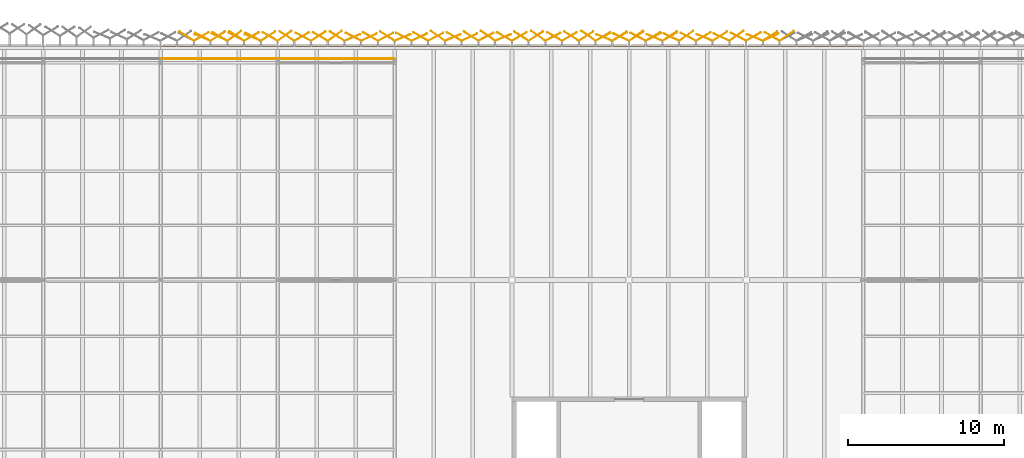
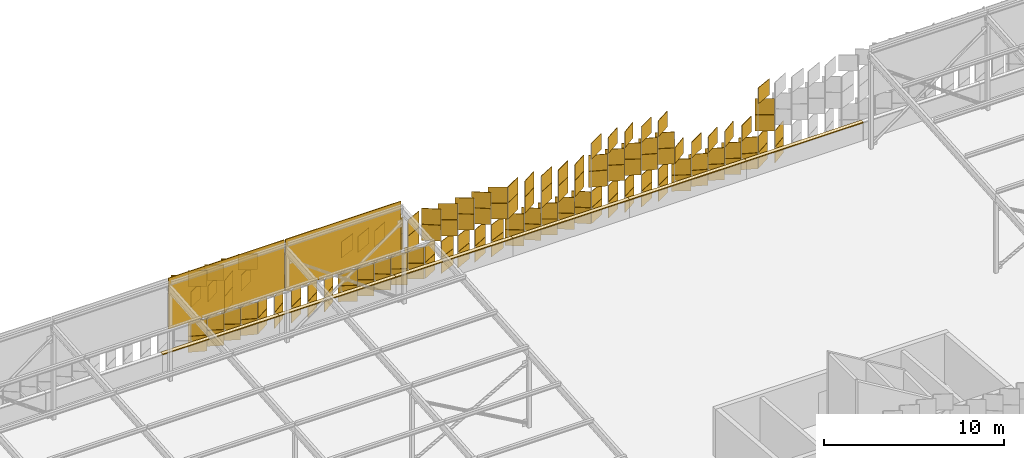
# One storey, part 477 of 483: 150 coverings.
"""IFC4 building model written with IfcOpenShell, lengths in metres."""

import ifcopenshell
import ifcopenshell.guid

model = None  # the IFC model being written
_history = None  # IfcOwnerHistory: only IFC2X3 demands one
_inside = {}  # id of a spatial element -> (the spatial element, [elements in it])
_under = {}  # id of a project, library or spatial element -> (it, [spatial elements below it])
_declared = {}  # id of a project -> (the project, [libraries it declares])
_typed = {}  # id of a type object -> (the type object, [elements of that type])
_made_of = {}  # id of a material, layer set ... -> (it, [elements and type objects made of it])


def new_model(schema):
    """Start an empty IFC model of exactly this schema.

    Asked for "IFC4X3", IfcOpenShell would pick the latest addendum, in which some entities
    have other attributes; the version numbers below select the first issue.
    IFC2X3 requires an IfcOwnerHistory on every rooted entity: one is made here for all.
    """
    global model, _history
    if schema == "IFC4X3":
        model = ifcopenshell.file(schema_version=(4, 3, 0, 0))
    else:
        model = ifcopenshell.file(schema=schema)
    _inside.clear()
    _under.clear()
    _declared.clear()
    _typed.clear()
    _made_of.clear()
    _history = None
    if model.schema == "IFC2X3":
        org = make("IfcOrganization", Name="unknown")
        user = make(
            "IfcPersonAndOrganization",
            ThePerson=make("IfcPerson", FamilyName="unknown"),
            TheOrganization=org,
        )
        app = make(
            "IfcApplication",
            ApplicationDeveloper=org,
            Version="unknown",
            ApplicationFullName="unknown",
            ApplicationIdentifier="unknown",
        )
        _history = make(
            "IfcOwnerHistory",
            OwningUser=user,
            OwningApplication=app,
            ChangeAction="ADDED",
            CreationDate=0,
        )
    return model


def make(cls, **values):
    """One entity of the class cls with the attributes given. An attribute that is None is left unset."""
    return model.create_entity(
        cls, **{name: value for name, value in values.items() if value is not None}
    )


def rooted(cls, **values):
    """An entity with a GlobalId (a new one), such as an element, a storey or a relation."""
    return make(cls, GlobalId=ifcopenshell.guid.new(), OwnerHistory=_history, **values)


def si_unit(unit_type, name, prefix=None):
    """IfcSIUnit, for example si_unit("LENGTHUNIT", "METRE", prefix="MILLI")."""
    return make("IfcSIUnit", UnitType=unit_type, Prefix=prefix, Name=name)


def assignment(units):
    """IfcUnitAssignment: the units of a project."""
    return None if units is None else make("IfcUnitAssignment", Units=units)


def point(xyz):
    """IfcCartesianPoint."""
    return None if xyz is None else make("IfcCartesianPoint", Coordinates=xyz)


def direction(xyz):
    """IfcDirection."""
    return None if xyz is None else make("IfcDirection", DirectionRatios=xyz)


def frame(location, z_axis=None, x_axis=None):
    """IfcAxis2Placement3D, a coordinate frame: its origin and axes. An axis left out is left unset."""
    return make(
        "IfcAxis2Placement3D",
        Location=point(location),
        Axis=direction(z_axis),
        RefDirection=direction(x_axis),
    )


def frame_2d(location, x_axis=None):
    """IfcAxis2Placement2D, a coordinate frame in the plane: its origin and x axis."""
    return make(
        "IfcAxis2Placement2D", Location=point(location), RefDirection=direction(x_axis)
    )


def origin():
    """The frame at (0, 0, 0) with its axes left unset."""
    return frame((0.0, 0.0, 0.0))


def origin_2d():
    """The frame at (0, 0) in the plane with its x axis left unset."""
    return frame_2d((0.0, 0.0))


def place(relative_to, where):
    """IfcLocalPlacement: puts the frame where relative to a parent placement (None: the world)."""
    return make(
        "IfcLocalPlacement", PlacementRelTo=relative_to, RelativePlacement=where
    )


def context(
    kind, dimensions, precision=None, world=None, true_north=None, identifier=None
):
    """IfcGeometricRepresentationContext, for example the 3D "Model" context."""
    return make(
        "IfcGeometricRepresentationContext",
        ContextIdentifier=identifier,
        ContextType=kind,
        CoordinateSpaceDimension=dimensions,
        Precision=precision,
        WorldCoordinateSystem=world,
        TrueNorth=true_north,
    )


def subcontext(parent, identifier, kind, view, scale=None):
    """IfcGeometricRepresentationSubContext, for example "Body" below "Model"."""
    return make(
        "IfcGeometricRepresentationSubContext",
        ContextIdentifier=identifier,
        ContextType=kind,
        ParentContext=parent,
        TargetScale=scale,
        TargetView=view,
    )


def project(units=None, contexts=None):
    """IfcProject with its units and contexts."""
    return rooted(
        "IfcProject",
        Name="project",
        RepresentationContexts=contexts,
        UnitsInContext=assignment(units),
    )


def spatial(cls, under=None, at=None, **own):
    """A site, building, storey or space (cls), placed at a placement, below another one or the project."""
    s = rooted(cls, ObjectPlacement=at, **own)
    if under is not None:
        _under.setdefault(under.id(), (under, []))[1].append(s)
    return s


def polyline(points):
    """IfcPolyline through the points."""
    return make("IfcPolyline", Points=[point(p) for p in points])


def profile(cls, at=None, kind="AREA", **sizes):
    """A parametric profile (cls). Its sizes go by their IFC names, for example OverallWidth=200.0."""
    return make(cls, ProfileType=kind, Position=at, **sizes)


def rectangle(**sizes):
    """IfcRectangleProfileDef."""
    return profile("IfcRectangleProfileDef", **sizes)


def outline(outer, holes=None, kind="AREA"):
    """IfcArbitraryClosedProfileDef: a profile drawn as a closed curve; with holes, ...WithVoids."""
    if holes is None:
        return make("IfcArbitraryClosedProfileDef", ProfileType=kind, OuterCurve=outer)
    return make(
        "IfcArbitraryProfileDefWithVoids",
        ProfileType=kind,
        OuterCurve=outer,
        InnerCurves=holes,
    )


def extrude(swept, where, along, depth):
    """IfcExtrudedAreaSolid: the profile swept, set in the frame where, extruded along a direction by depth."""
    return make(
        "IfcExtrudedAreaSolid",
        SweptArea=swept,
        Position=where,
        ExtrudedDirection=direction(along),
        Depth=depth,
    )


def shape(context_of_items, identifier, shape_type, items):
    """IfcShapeRepresentation: the items that make up one representation, for example the "Body"."""
    return make(
        "IfcShapeRepresentation",
        ContextOfItems=context_of_items,
        RepresentationIdentifier=identifier,
        RepresentationType=shape_type,
        Items=items,
    )


def material(Name=None, Category=None):
    """IfcMaterial."""
    return make("IfcMaterial", Name=Name, Category=Category)


def layer(
    of_material, thickness, ventilated=None, Name=None, Category=None, Priority=None
):
    """IfcMaterialLayer: one layer of a wall or slab, of a material (None: an air gap)."""
    return make(
        "IfcMaterialLayer",
        Material=of_material,
        LayerThickness=thickness,
        IsVentilated=ventilated,
        Name=Name,
        Category=Category,
        Priority=Priority,
    )


def layer_set(layers, Name=None):
    """IfcMaterialLayerSet."""
    return make("IfcMaterialLayerSet", MaterialLayers=layers, LayerSetName=Name)


def made_of(thing, what):
    """Note that an element or type object is made of a material, layer set ...; save() writes the relation."""
    if what is not None:
        _made_of.setdefault(what.id(), (what, []))[1].append(thing)
    return thing


def type_object(cls, material=None, **own):
    """A type object (cls), such as IfcWallType, which elements share."""
    return made_of(rooted(cls, **own), material)


def element(
    cls,
    number,
    at=None,
    inside=None,
    cuts=None,
    type_object=None,
    material=None,
    context=None,
    identifier="Body",
    shape_type=None,
    held_by="IfcProductDefinitionShape",
    body=None,
    shapes=None,
    **own,
):
    """One element of the class cls, such as IfcWall. Its Tag is "e" and its number.

    at: its placement. inside: the storey or other place that contains it. cuts: it is an
    opening in that element (IfcRelVoidsElement). A single representation is given by context,
    identifier, shape_type and body (its items); several are given by shapes. held_by: the class
    of the entity that holds the representations. save() writes the other relations.
    """
    e = rooted(cls, Tag="e%d" % number, ObjectPlacement=at, **own)
    if body is not None:
        shapes = [shape(context, identifier, shape_type, body)]
    if shapes is not None:
        e.Representation = make(held_by, Representations=shapes)
    if inside is not None:
        _inside.setdefault(inside.id(), (inside, []))[1].append(e)
    if cuts is not None:
        rooted(
            "IfcRelVoidsElement", RelatingBuildingElement=cuts, RelatedOpeningElement=e
        )
    if type_object is not None:
        _typed.setdefault(type_object.id(), (type_object, []))[1].append(e)
    return made_of(e, material)


def aggregate(whole, parts):
    """IfcRelAggregates: a whole, such as a stair, and the parts it consists of."""
    return rooted("IfcRelAggregates", RelatingObject=whole, RelatedObjects=parts)


def save(model, path):
    """Write the relations noted so far, then the file.

    IfcRelAggregates (storeys below a building ...), IfcRelContainedInSpatialStructure (elements
    in a storey), IfcRelDefinesByType, IfcRelAssociatesMaterial and IfcRelDeclares: one each for
    every whole, place, type object, material and project.
    """
    for whole, parts in _under.values():
        aggregate(whole, parts)
    for where, things in _inside.values():
        rooted(
            "IfcRelContainedInSpatialStructure",
            RelatedElements=things,
            RelatingStructure=where,
        )
    for kind, things in _typed.values():
        rooted("IfcRelDefinesByType", RelatedObjects=things, RelatingType=kind)
    for what, things in _made_of.values():
        rooted("IfcRelAssociatesMaterial", RelatedObjects=things, RelatingMaterial=what)
    for by, libraries in _declared.values():
        rooted("IfcRelDeclares", RelatingContext=by, RelatedDefinitions=libraries)
    model.write(path)


model = new_model("IFC4")

# Units and contexts
model_context = context("Model", 3, precision=1e-05, world=origin(), true_north=direction((0.0, 1.0)))
body_context = subcontext(model_context, "Body", "Model", "MODEL_VIEW")
ifc_project = project(units=[si_unit("LENGTHUNIT", "METRE"), si_unit("AREAUNIT", "SQUARE_METRE"), si_unit("VOLUMEUNIT", "CUBIC_METRE"), si_unit("PLANEANGLEUNIT", "RADIAN"), si_unit("MASSUNIT", "GRAM", prefix="KILO")], contexts=[model_context])

# Site, building, storey
site_placement = place(None, origin())
site = spatial("IfcSite", under=ifc_project, at=site_placement, CompositionType="ELEMENT")
building_placement = place(site_placement, origin())
building = spatial("IfcBuilding", under=site, at=building_placement, Name="Parallax Yard Mobility Hub", CompositionType="ELEMENT")
storey_placement = place(building_placement, frame((0.0, 0.0, 13.199951171875)))
storey = spatial("IfcBuildingStorey", under=building, at=storey_placement, Name="L04", CompositionType="ELEMENT", Elevation=13.199951171875)

# Coverings
ifc_material_1 = material(Name="Concrete fc' 35 MPa", Category="concrete")
ifc_layer_1 = layer(ifc_material_1, 0.06005859375)
ifc_layer_set_1 = layer_set([ifc_layer_1], Name="Parapet coping, Concrete fc' 35 MPa precast, 240")
covering_type_1 = type_object("IfcCoveringType", Name="Parapet coping, Concrete fc' 35 MPa precast, 240", PredefinedType="USERDEFINED", material=ifc_layer_set_1)
covering_1_placement = place(storey_placement, frame((0.0, 0.0, 1.199951171875)))
element("IfcCovering", 1, at=covering_1_placement, inside=storey, type_object=covering_type_1, Name="Parapet coping run 4 part 48", ObjectType="COPING", PredefinedType="USERDEFINED", context=body_context, shape_type="SweptSolid", body=[
    extrude(outline(polyline([(89.999755859375, 142.23388671875), (89.999755859375, 142.47412109375), (82.499755859375, 142.47412109375), (82.499755859375, 142.23388671875), (89.999755859375, 142.23388671875)])), origin(), (0.0, 0.0, 1.0), 0.06005859375),
])
covering_2_placement = place(storey_placement, frame((0.0, 0.0, 1.199951171875)))
element("IfcCovering", 2, at=covering_2_placement, inside=storey, type_object=covering_type_1, Name="Parapet coping run 4 part 49", ObjectType="COPING", PredefinedType="USERDEFINED", context=body_context, shape_type="SweptSolid", body=[
    extrude(outline(polyline([(82.499755859375, 142.23388671875), (82.499755859375, 142.47412109375), (74.999755859375, 142.47412109375), (74.999755859375, 142.23388671875), (82.499755859375, 142.23388671875)])), origin(), (0.0, 0.0, 1.0), 0.06005859375),
])
covering_3_placement = place(storey_placement, frame((0.0, 0.0, 1.199951171875)))
element("IfcCovering", 3, at=covering_3_placement, inside=storey, type_object=covering_type_1, Name="Parapet coping run 4 part 50", ObjectType="COPING", PredefinedType="USERDEFINED", context=body_context, shape_type="SweptSolid", body=[
    extrude(outline(polyline([(74.999755859375, 142.23388671875), (74.999755859375, 142.47412109375), (67.499755859375, 142.47412109375), (67.499755859375, 142.23388671875), (74.999755859375, 142.23388671875)])), origin(), (0.0, 0.0, 1.0), 0.06005859375),
])
covering_4_placement = place(storey_placement, frame((0.0, 0.0, 1.199951171875)))
element("IfcCovering", 4, at=covering_4_placement, inside=storey, type_object=covering_type_1, Name="Parapet coping run 4 part 51", ObjectType="COPING", PredefinedType="USERDEFINED", context=body_context, shape_type="SweptSolid", body=[
    extrude(outline(polyline([(67.499755859375, 142.23388671875), (67.499755859375, 142.47412109375), (59.999755859375, 142.47412109375), (59.999755859375, 142.23388671875), (67.499755859375, 142.23388671875)])), origin(), (0.0, 0.0, 1.0), 0.06005859375),
])
covering_5_placement = place(storey_placement, frame((0.0, 0.0, 1.199951171875)))
element("IfcCovering", 5, at=covering_5_placement, inside=storey, type_object=covering_type_1, Name="Parapet coping run 4 part 52", ObjectType="COPING", PredefinedType="USERDEFINED", context=body_context, shape_type="SweptSolid", body=[
    extrude(outline(polyline([(59.999755859375, 142.23388671875), (59.999755859375, 142.47412109375), (52.499755859375, 142.47412109375), (52.499755859375, 142.23388671875), (59.999755859375, 142.23388671875)])), origin(), (0.0, 0.0, 1.0), 0.06005859375),
])
covering_6_placement = place(storey_placement, frame((0.0, 0.0, 1.199951171875)))
element("IfcCovering", 6, at=covering_6_placement, inside=storey, type_object=covering_type_1, Name="Parapet coping run 4 part 53", ObjectType="COPING", PredefinedType="USERDEFINED", context=body_context, shape_type="SweptSolid", body=[
    extrude(outline(polyline([(52.499755859375, 142.23388671875), (52.499755859375, 142.47412109375), (44.999755859375, 142.47412109375), (44.999755859375, 142.23388671875), (52.499755859375, 142.23388671875)])), origin(), (0.0, 0.0, 1.0), 0.06005859375),
])
ifc_material_2 = material(Name="Aluminium panel, silver anodised", Category="aluminium")
ifc_layer_2 = layer(ifc_material_2, 0.030029296875)
ifc_layer_set_2 = layer_set([ifc_layer_2], Name="Skin panel 22.5 degree turn, silver anodised")
covering_type_2 = type_object("IfcCoveringType", Name="Skin panel 22.5 degree turn, silver anodised", PredefinedType="CLADDING", material=ifc_layer_set_2)
for number, where, z_axis, x_axis, name in (
    (7, (83.048828125, 143.012939453125, 0.02001953125), (0.0, 0.0, 1.0), (-0.923879532511, 0.382683432365, 0.0), "Skin panel 22.5 bay 62.7 row 1 level L04"),
    (8, (83.048828125, 143.012939453125, 1.1201171875), (0.0, 0.0, 1.0), (-0.923879532511, 0.382683432365, 0.0), "Skin panel 22.5 bay 62.7 row 2 level L04"),
    (9, (79.833984375, 143.012939453125, 0.02001953125), (0.0, 0.0, 1.0), (-0.923879532511, 0.382683432365, 0.0), "Skin panel 22.5 bay 63.3 row 1 level L04"),
    (10, (79.833984375, 143.012939453125, 1.1201171875), (0.0, 0.0, 1.0), (-0.923879532511, 0.382683432365, 0.0), "Skin panel 22.5 bay 63.3 row 2 level L04"),
    (11, (76.619384765625, 143.012939453125, 2.219970703125), (0.0, 0.0, 1.0), (-0.923879532511, 0.382683432365, 0.0), "Skin panel 22.5 bay 63.6 row 3 level L04"),
    (12, (76.619384765625, 143.012939453125, 3.320068359375), (0.0, 0.0, 1.0), (-0.923879532511, 0.382683432365, 0.0), "Skin panel 22.5 bay 63.6 row 4 level L04"),
    (13, (73.40478515625, 143.012939453125, 2.219970703125), (0.0, 0.0, 1.0), (-0.923879532511, 0.382683432365, 0.0), "Skin panel 22.5 bay 64.2 row 3 level L04"),
    (14, (73.40478515625, 143.012939453125, 3.320068359375), (0.0, 0.0, 1.0), (-0.923879532511, 0.382683432365, 0.0), "Skin panel 22.5 bay 64.2 row 4 level L04"),
    (15, (66.931884765625, 143.012939453125, 0.02001953125), (0.0, 0.0, 1.0), (0.923879532511, 0.382683432365, 0.0), "Skin panel 22.5 bay 65.1 row 1 level L04"),
    (16, (66.931884765625, 143.012939453125, 1.1201171875), (0.0, 0.0, 1.0), (0.923879532511, 0.382683432365, 0.0), "Skin panel 22.5 bay 65.1 row 2 level L04"),
    (17, (63.71728515625, 143.012939453125, 0.02001953125), (0.0, 0.0, 1.0), (0.923879532511, 0.382683432365, 0.0), "Skin panel 22.5 bay 65.4 row 1 level L04"),
    (18, (63.71728515625, 143.012939453125, 1.1201171875), (0.0, 0.0, 1.0), (0.923879532511, 0.382683432365, 0.0), "Skin panel 22.5 bay 65.4 row 2 level L04"),
    (19, (60.50244140625, 143.012939453125, 2.219970703125), (0.0, 0.0, 1.0), (0.923879532511, 0.382683432365, 0.0), "Skin panel 22.5 bay 65.7 row 3 level L04"),
    (20, (60.50244140625, 143.012939453125, 3.320068359375), (0.0, 0.0, 1.0), (0.923879532511, 0.382683432365, 0.0), "Skin panel 22.5 bay 65.7 row 4 level L04"),
    (21, (57.287841796875, 143.012939453125, 2.219970703125), (0.0, 0.0, 1.0), (0.923879532511, 0.382683432365, 0.0), "Skin panel 22.5 bay 66.3 row 3 level L04"),
    (22, (57.287841796875, 143.012939453125, 3.320068359375), (0.0, 0.0, 1.0), (0.923879532511, 0.382683432365, 0.0), "Skin panel 22.5 bay 66.3 row 4 level L04"),
    (23, (50.902099609375, 143.012939453125, 0.02001953125), (0.0, 0.0, 1.0), (-0.923879532511, 0.382683432365, 0.0), "Skin panel 22.5 bay 67.2 row 1 level L04"),
    (24, (50.902099609375, 143.012939453125, 1.1201171875), (0.0, 0.0, 1.0), (-0.923879532511, 0.382683432365, 0.0), "Skin panel 22.5 bay 67.2 row 2 level L04"),
    (25, (47.6875, 143.012939453125, 0.02001953125), (0.0, 0.0, 1.0), (-0.923879532511, 0.382683432365, 0.0), "Skin panel 22.5 bay 67.5 row 1 level L04"),
    (26, (47.6875, 143.012939453125, 1.1201171875), (0.0, 0.0, 1.0), (-0.923879532511, 0.382683432365, 0.0), "Skin panel 22.5 bay 67.5 row 2 level L04"),
):
    element("IfcCovering", number, at=place(storey_placement, frame(where, z_axis=z_axis, x_axis=x_axis)), inside=storey, type_object=covering_type_2, Name=name, ObjectType="SCREEN", PredefinedType="CLADDING", context=body_context, shape_type="SweptSolid", body=[
        extrude(rectangle(XDim=1.080078125, YDim=0.030029296875, at=origin_2d()), origin(), (0.0, 0.0, 1.0), 1.080078125),
    ])
ifc_layer_3 = layer(ifc_material_2, 0.030029296875)
ifc_layer_set_3 = layer_set([ifc_layer_3], Name="Skin panel 25 degree turn, silver anodised")
covering_type_3 = type_object("IfcCoveringType", Name="Skin panel 25 degree turn, silver anodised", PredefinedType="CLADDING", material=ifc_layer_set_3)
for number, where, z_axis, x_axis, name in (
    (27, (84.06689453125, 143.03515625, 4.419921875), (0.0, 0.0, 1.0), (0.906307787037, 0.422618261741, 0.0), "Skin panel 25 bay 62.6 row 5 level L04"),
    (28, (80.915283203125, 143.03515625, 0.02001953125), (0.0, 0.0, 1.0), (-0.906307787037, 0.422618261741, 0.0), "Skin panel 25 bay 63.2 row 1 level L04"),
    (29, (80.915283203125, 143.03515625, 1.1201171875), (0.0, 0.0, 1.0), (-0.906307787037, 0.422618261741, 0.0), "Skin panel 25 bay 63.2 row 2 level L04"),
    (30, (77.70068359375, 143.03515625, 2.219970703125), (0.0, 0.0, 1.0), (-0.906307787037, 0.422618261741, 0.0), "Skin panel 25 bay 63.5 row 3 level L04"),
    (31, (77.70068359375, 143.03515625, 3.320068359375), (0.0, 0.0, 1.0), (-0.906307787037, 0.422618261741, 0.0), "Skin panel 25 bay 63.5 row 4 level L04"),
    (32, (74.486083984375, 143.03515625, 2.219970703125), (0.0, 0.0, 1.0), (-0.906307787037, 0.422618261741, 0.0), "Skin panel 25 bay 64.1 row 3 level L04"),
    (33, (74.486083984375, 143.03515625, 3.320068359375), (0.0, 0.0, 1.0), (-0.906307787037, 0.422618261741, 0.0), "Skin panel 25 bay 64.1 row 4 level L04"),
    (34, (64.779052734375, 143.03515625, 0.02001953125), (0.0, 0.0, 1.0), (0.906307787037, 0.422618261741, 0.0), "Skin panel 25 bay 65.3 row 1 level L04"),
    (35, (64.779052734375, 143.03515625, 1.1201171875), (0.0, 0.0, 1.0), (0.906307787037, 0.422618261741, 0.0), "Skin panel 25 bay 65.3 row 2 level L04"),
    (36, (61.564208984375, 143.03515625, 2.219970703125), (0.0, 0.0, 1.0), (0.906307787037, 0.422618261741, 0.0), "Skin panel 25 bay 65.6 row 3 level L04"),
    (37, (61.564208984375, 143.03515625, 3.320068359375), (0.0, 0.0, 1.0), (0.906307787037, 0.422618261741, 0.0), "Skin panel 25 bay 65.6 row 4 level L04"),
    (38, (58.349609375, 143.03515625, 2.219970703125), (0.0, 0.0, 1.0), (0.906307787037, 0.422618261741, 0.0), "Skin panel 25 bay 66.2 row 3 level L04"),
    (39, (58.349609375, 143.03515625, 3.320068359375), (0.0, 0.0, 1.0), (0.906307787037, 0.422618261741, 0.0), "Skin panel 25 bay 66.2 row 4 level L04"),
    (40, (48.768798828125, 143.03515625, 0.02001953125), (0.0, 0.0, 1.0), (-0.906307787037, 0.422618261741, 0.0), "Skin panel 25 bay 67.4 row 1 level L04"),
    (41, (48.768798828125, 143.03515625, 1.1201171875), (0.0, 0.0, 1.0), (-0.906307787037, 0.422618261741, 0.0), "Skin panel 25 bay 67.4 row 2 level L04"),
):
    element("IfcCovering", number, at=place(storey_placement, frame(where, z_axis=z_axis, x_axis=x_axis)), inside=storey, type_object=covering_type_3, Name=name, ObjectType="SCREEN", PredefinedType="CLADDING", context=body_context, shape_type="SweptSolid", body=[
        extrude(rectangle(XDim=1.080078125, YDim=0.030029296875, at=origin_2d()), origin(), (0.0, 0.0, 1.0), 1.080078125),
    ])
ifc_layer_4 = layer(ifc_material_2, 0.030029296875)
ifc_layer_set_4 = layer_set([ifc_layer_4], Name="Skin panel 27.5 degree turn, silver anodised")
covering_type_4 = type_object("IfcCoveringType", Name="Skin panel 27.5 degree turn, silver anodised", PredefinedType="CLADDING", material=ifc_layer_set_4)
for number, where, z_axis, x_axis, name in (
    (42, (81.997802734375, 143.056884765625, 0.02001953125), (0.0, 0.0, 1.0), (-0.887010833178, 0.461748613235, 0.0), "Skin panel 27.5 bay 63.1 row 1 level L04"),
    (43, (81.997802734375, 143.056884765625, 1.1201171875), (0.0, 0.0, 1.0), (-0.887010833178, 0.461748613235, 0.0), "Skin panel 27.5 bay 63.1 row 2 level L04"),
    (44, (78.783203125, 143.056884765625, 0.02001953125), (0.0, 0.0, 1.0), (-0.887010833178, 0.461748613235, 0.0), "Skin panel 27.5 bay 63.4 row 1 level L04"),
    (45, (78.783203125, 143.056884765625, 1.1201171875), (0.0, 0.0, 1.0), (-0.887010833178, 0.461748613235, 0.0), "Skin panel 27.5 bay 63.4 row 2 level L04"),
    (46, (76.555419921875, 143.056884765625, 0.02001953125), (0.0, 0.0, 1.0), (0.887010833178, 0.461748613235, 0.0), "Skin panel 27.5 bay 63.6 row 1 level L04"),
    (47, (76.555419921875, 143.056884765625, 1.1201171875), (0.0, 0.0, 1.0), (0.887010833178, 0.461748613235, 0.0), "Skin panel 27.5 bay 63.6 row 2 level L04"),
    (48, (75.568359375, 143.056884765625, 2.219970703125), (0.0, 0.0, 1.0), (-0.887010833178, 0.461748613235, 0.0), "Skin panel 27.5 bay 63.7 row 3 level L04"),
    (49, (75.568359375, 143.056884765625, 3.320068359375), (0.0, 0.0, 1.0), (-0.887010833178, 0.461748613235, 0.0), "Skin panel 27.5 bay 63.7 row 4 level L04"),
    (50, (73.3408203125, 143.056884765625, 0.02001953125), (0.0, 0.0, 1.0), (0.887010833178, 0.461748613235, 0.0), "Skin panel 27.5 bay 64.2 row 1 level L04"),
    (51, (73.3408203125, 143.056884765625, 1.1201171875), (0.0, 0.0, 1.0), (0.887010833178, 0.461748613235, 0.0), "Skin panel 27.5 bay 64.2 row 2 level L04"),
    (52, (70.1259765625, 143.056884765625, 2.219970703125), (0.0, 0.0, 1.0), (0.887010833178, 0.461748613235, 0.0), "Skin panel 27.5 bay 64.5 row 3 level L04"),
    (53, (70.1259765625, 143.056884765625, 3.320068359375), (0.0, 0.0, 1.0), (0.887010833178, 0.461748613235, 0.0), "Skin panel 27.5 bay 64.5 row 4 level L04"),
    (54, (65.83984375, 143.056884765625, 0.02001953125), (0.0, 0.0, 1.0), (0.887010833178, 0.461748613235, 0.0), "Skin panel 27.5 bay 65.2 row 1 level L04"),
    (55, (65.83984375, 143.056884765625, 1.1201171875), (0.0, 0.0, 1.0), (0.887010833178, 0.461748613235, 0.0), "Skin panel 27.5 bay 65.2 row 2 level L04"),
    (56, (62.625, 143.056884765625, 0.02001953125), (0.0, 0.0, 1.0), (0.887010833178, 0.461748613235, 0.0), "Skin panel 27.5 bay 65.5 row 1 level L04"),
    (57, (62.625, 143.056884765625, 1.1201171875), (0.0, 0.0, 1.0), (0.887010833178, 0.461748613235, 0.0), "Skin panel 27.5 bay 65.5 row 2 level L04"),
    (58, (60.566650390625, 143.056884765625, 0.02001953125), (0.0, 0.0, 1.0), (-0.887010833178, 0.461748613235, 0.0), "Skin panel 27.5 bay 65.7 row 1 level L04"),
    (59, (60.566650390625, 143.056884765625, 1.1201171875), (0.0, 0.0, 1.0), (-0.887010833178, 0.461748613235, 0.0), "Skin panel 27.5 bay 65.7 row 2 level L04"),
    (60, (59.410400390625, 143.056884765625, 2.219970703125), (0.0, 0.0, 1.0), (0.887010833178, 0.461748613235, 0.0), "Skin panel 27.5 bay 66.1 row 3 level L04"),
    (61, (59.410400390625, 143.056884765625, 3.320068359375), (0.0, 0.0, 1.0), (0.887010833178, 0.461748613235, 0.0), "Skin panel 27.5 bay 66.1 row 4 level L04"),
    (62, (57.351806640625, 143.056884765625, 0.02001953125), (0.0, 0.0, 1.0), (-0.887010833178, 0.461748613235, 0.0), "Skin panel 27.5 bay 66.3 row 1 level L04"),
    (63, (57.351806640625, 143.056884765625, 1.1201171875), (0.0, 0.0, 1.0), (-0.887010833178, 0.461748613235, 0.0), "Skin panel 27.5 bay 66.3 row 2 level L04"),
    (64, (54.13720703125, 143.056884765625, 2.219970703125), (0.0, 0.0, 1.0), (-0.887010833178, 0.461748613235, 0.0), "Skin panel 27.5 bay 66.6 row 3 level L04"),
    (65, (50.922607421875, 143.056884765625, 4.419921875), (0.0, 0.0, 1.0), (-0.887010833178, 0.461748613235, 0.0), "Skin panel 27.5 bay 67.2 row 5 level L04"),
    (66, (49.85107421875, 143.056884765625, 0.02001953125), (0.0, 0.0, 1.0), (-0.887010833178, 0.461748613235, 0.0), "Skin panel 27.5 bay 67.3 row 1 level L04"),
    (67, (49.85107421875, 143.056884765625, 1.1201171875), (0.0, 0.0, 1.0), (-0.887010833178, 0.461748613235, 0.0), "Skin panel 27.5 bay 67.3 row 2 level L04"),
    (68, (47.7080078125, 143.056884765625, 4.419921875), (0.0, 0.0, 1.0), (-0.887010833178, 0.461748613235, 0.0), "Skin panel 27.5 bay 67.5 row 5 level L04"),
):
    element("IfcCovering", number, at=place(storey_placement, frame(where, z_axis=z_axis, x_axis=x_axis)), inside=storey, type_object=covering_type_4, Name=name, ObjectType="SCREEN", PredefinedType="CLADDING", context=body_context, shape_type="SweptSolid", body=[
        extrude(rectangle(XDim=1.080078125, YDim=0.030029296875, at=origin_2d()), origin(), (0.0, 0.0, 1.0), 1.080078125),
    ])
ifc_layer_5 = layer(ifc_material_2, 0.030029296875)
ifc_layer_set_5 = layer_set([ifc_layer_5], Name="Skin panel 30 degree turn, silver anodised")
covering_type_5 = type_object("IfcCoveringType", Name="Skin panel 30 degree turn, silver anodised", PredefinedType="CLADDING", material=ifc_layer_set_5)
for number, where, z_axis, x_axis, name in (
    (69, (84.152587890625, 143.078125, 2.219970703125), (0.0, 0.0, 1.0), (-0.866025403784, 0.5, 0.0), "Skin panel 30 bay 62.6 row 3 level L04"),
    (70, (84.152587890625, 143.078125, 3.320068359375), (0.0, 0.0, 1.0), (-0.866025403784, 0.5, 0.0), "Skin panel 30 bay 62.6 row 4 level L04"),
    (71, (82.972900390625, 143.078125, 2.219970703125), (0.0, 0.0, 1.0), (0.866025403784, 0.5, 0.0), "Skin panel 30 bay 62.7 row 3 level L04"),
    (72, (79.75830078125, 143.078125, 2.219970703125), (0.0, 0.0, 1.0), (0.866025403784, 0.5, 0.0), "Skin panel 30 bay 63.3 row 3 level L04"),
    (73, (77.615234375, 143.078125, 0.02001953125), (0.0, 0.0, 1.0), (0.866025403784, 0.5, 0.0), "Skin panel 30 bay 63.5 row 1 level L04"),
    (74, (77.615234375, 143.078125, 1.1201171875), (0.0, 0.0, 1.0), (0.866025403784, 0.5, 0.0), "Skin panel 30 bay 63.5 row 2 level L04"),
    (75, (76.543701171875, 143.078125, 4.419921875), (0.0, 0.0, 1.0), (0.866025403784, 0.5, 0.0), "Skin panel 30 bay 63.6 row 5 level L04"),
    (76, (74.400634765625, 143.078125, 0.02001953125), (0.0, 0.0, 1.0), (0.866025403784, 0.5, 0.0), "Skin panel 30 bay 64.1 row 1 level L04"),
    (77, (74.400634765625, 143.078125, 1.1201171875), (0.0, 0.0, 1.0), (0.866025403784, 0.5, 0.0), "Skin panel 30 bay 64.1 row 2 level L04"),
    (78, (73.3291015625, 143.078125, 4.419921875), (0.0, 0.0, 1.0), (0.866025403784, 0.5, 0.0), "Skin panel 30 bay 64.2 row 5 level L04"),
    (79, (71.185791015625, 143.078125, 2.219970703125), (0.0, 0.0, 1.0), (0.866025403784, 0.5, 0.0), "Skin panel 30 bay 64.4 row 3 level L04"),
    (80, (71.185791015625, 143.078125, 3.320068359375), (0.0, 0.0, 1.0), (0.866025403784, 0.5, 0.0), "Skin panel 30 bay 64.4 row 4 level L04"),
    (81, (70.222412109375, 143.078125, 0.02001953125), (0.0, 0.0, 1.0), (-0.866025403784, 0.5, 0.0), "Skin panel 30 bay 64.5 row 1 level L04"),
    (82, (70.222412109375, 143.078125, 1.1201171875), (0.0, 0.0, 1.0), (-0.866025403784, 0.5, 0.0), "Skin panel 30 bay 64.5 row 2 level L04"),
    (83, (67.97119140625, 143.078125, 2.219970703125), (0.0, 0.0, 1.0), (0.866025403784, 0.5, 0.0), "Skin panel 30 bay 64.7 row 3 level L04"),
    (84, (67.97119140625, 143.078125, 3.320068359375), (0.0, 0.0, 1.0), (0.866025403784, 0.5, 0.0), "Skin panel 30 bay 64.7 row 4 level L04"),
    (85, (67.007568359375, 143.078125, 2.219970703125), (0.0, 0.0, 1.0), (-0.866025403784, 0.5, 0.0), "Skin panel 30 bay 65.1 row 3 level L04"),
    (86, (67.007568359375, 143.078125, 3.320068359375), (0.0, 0.0, 1.0), (-0.866025403784, 0.5, 0.0), "Skin panel 30 bay 65.1 row 4 level L04"),
    (87, (63.79296875, 143.078125, 2.219970703125), (0.0, 0.0, 1.0), (-0.866025403784, 0.5, 0.0), "Skin panel 30 bay 65.4 row 3 level L04"),
    (88, (63.79296875, 143.078125, 3.320068359375), (0.0, 0.0, 1.0), (-0.866025403784, 0.5, 0.0), "Skin panel 30 bay 65.4 row 4 level L04"),
    (89, (61.64990234375, 143.078125, 0.02001953125), (0.0, 0.0, 1.0), (-0.866025403784, 0.5, 0.0), "Skin panel 30 bay 65.6 row 1 level L04"),
    (90, (61.64990234375, 143.078125, 1.1201171875), (0.0, 0.0, 1.0), (-0.866025403784, 0.5, 0.0), "Skin panel 30 bay 65.6 row 2 level L04"),
    (91, (58.435302734375, 143.078125, 0.02001953125), (0.0, 0.0, 1.0), (-0.866025403784, 0.5, 0.0), "Skin panel 30 bay 66.2 row 1 level L04"),
    (92, (58.435302734375, 143.078125, 1.1201171875), (0.0, 0.0, 1.0), (-0.866025403784, 0.5, 0.0), "Skin panel 30 bay 66.2 row 2 level L04"),
    (93, (55.220458984375, 143.078125, 2.219970703125), (0.0, 0.0, 1.0), (-0.866025403784, 0.5, 0.0), "Skin panel 30 bay 66.5 row 3 level L04"),
    (94, (54.041015625, 143.078125, 0.02001953125), (0.0, 0.0, 1.0), (0.866025403784, 0.5, 0.0), "Skin panel 30 bay 66.6 row 1 level L04"),
    (95, (54.041015625, 143.078125, 1.1201171875), (0.0, 0.0, 1.0), (0.866025403784, 0.5, 0.0), "Skin panel 30 bay 66.6 row 2 level L04"),
    (96, (52.005859375, 143.078125, 2.219970703125), (0.0, 0.0, 1.0), (-0.866025403784, 0.5, 0.0), "Skin panel 30 bay 67.1 row 3 level L04"),
    (97, (50.826416015625, 143.078125, 2.219970703125), (0.0, 0.0, 1.0), (0.866025403784, 0.5, 0.0), "Skin panel 30 bay 67.2 row 3 level L04"),
    (98, (50.826416015625, 143.078125, 3.320068359375), (0.0, 0.0, 1.0), (0.866025403784, 0.5, 0.0), "Skin panel 30 bay 67.2 row 4 level L04"),
    (99, (48.791259765625, 143.078125, 4.419921875), (0.0, 0.0, 1.0), (-0.866025403784, 0.5, 0.0), "Skin panel 30 bay 67.4 row 5 level L04"),
    (100, (47.61181640625, 143.078125, 3.320068359375), (0.0, 0.0, 1.0), (0.866025403784, 0.5, 0.0), "Skin panel 30 bay 67.5 row 4 level L04"),
):
    element("IfcCovering", number, at=place(storey_placement, frame(where, z_axis=z_axis, x_axis=x_axis)), inside=storey, type_object=covering_type_5, Name=name, ObjectType="SCREEN", PredefinedType="CLADDING", context=body_context, shape_type="SweptSolid", body=[
        extrude(rectangle(XDim=1.080078125, YDim=0.030029296875, at=origin_2d()), origin(), (0.0, 0.0, 1.0), 1.080078125),
    ])
ifc_layer_6 = layer(ifc_material_2, 0.030029296875)
ifc_layer_set_6 = layer_set([ifc_layer_6], Name="Skin panel 32.5 degree turn, silver anodised")
covering_type_6 = type_object("IfcCoveringType", Name="Skin panel 32.5 degree turn, silver anodised", PredefinedType="CLADDING", material=ifc_layer_set_6)
for number, where, z_axis, x_axis, name in (
    (101, (84.031982421875, 143.098876953125, 0.02001953125), (0.0, 0.0, 1.0), (0.843391445813, 0.537299608347, 0.0), "Skin panel 32.5 bay 62.6 row 1 level L04"),
    (102, (84.031982421875, 143.098876953125, 1.1201171875), (0.0, 0.0, 1.0), (0.843391445813, 0.537299608347, 0.0), "Skin panel 32.5 bay 62.6 row 2 level L04"),
    (103, (80.8173828125, 143.098876953125, 2.219970703125), (0.0, 0.0, 1.0), (0.843391445813, 0.537299608347, 0.0), "Skin panel 32.5 bay 63.2 row 3 level L04"),
    (104, (77.602783203125, 143.098876953125, 4.419921875), (0.0, 0.0, 1.0), (0.843391445813, 0.537299608347, 0.0), "Skin panel 32.5 bay 63.5 row 5 level L04"),
    (105, (75.45947265625, 143.098876953125, 0.02001953125), (0.0, 0.0, 1.0), (0.843391445813, 0.537299608347, 0.0), "Skin panel 32.5 bay 63.7 row 1 level L04"),
    (106, (75.45947265625, 143.098876953125, 1.1201171875), (0.0, 0.0, 1.0), (0.843391445813, 0.537299608347, 0.0), "Skin panel 32.5 bay 63.7 row 2 level L04"),
    (107, (74.387939453125, 143.098876953125, 4.419921875), (0.0, 0.0, 1.0), (0.843391445813, 0.537299608347, 0.0), "Skin panel 32.5 bay 64.1 row 5 level L04"),
    (108, (72.244873046875, 143.098876953125, 2.219970703125), (0.0, 0.0, 1.0), (0.843391445813, 0.537299608347, 0.0), "Skin panel 32.5 bay 64.3 row 3 level L04"),
    (109, (72.244873046875, 143.098876953125, 3.320068359375), (0.0, 0.0, 1.0), (0.843391445813, 0.537299608347, 0.0), "Skin panel 32.5 bay 64.3 row 4 level L04"),
    (110, (71.306396484375, 143.098876953125, 0.02001953125), (0.0, 0.0, 1.0), (-0.843391445813, 0.537299608347, 0.0), "Skin panel 32.5 bay 64.4 row 1 level L04"),
    (111, (71.306396484375, 143.098876953125, 1.1201171875), (0.0, 0.0, 1.0), (-0.843391445813, 0.537299608347, 0.0), "Skin panel 32.5 bay 64.4 row 2 level L04"),
    (112, (69.0302734375, 143.098876953125, 2.219970703125), (0.0, 0.0, 1.0), (0.843391445813, 0.537299608347, 0.0), "Skin panel 32.5 bay 64.6 row 3 level L04"),
    (113, (69.0302734375, 143.098876953125, 3.320068359375), (0.0, 0.0, 1.0), (0.843391445813, 0.537299608347, 0.0), "Skin panel 32.5 bay 64.6 row 4 level L04"),
    (114, (68.091796875, 143.098876953125, 0.02001953125), (0.0, 0.0, 1.0), (-0.843391445813, 0.537299608347, 0.0), "Skin panel 32.5 bay 64.7 row 1 level L04"),
    (115, (68.091796875, 143.098876953125, 1.1201171875), (0.0, 0.0, 1.0), (-0.843391445813, 0.537299608347, 0.0), "Skin panel 32.5 bay 64.7 row 2 level L04"),
    (116, (64.877197265625, 143.098876953125, 2.219970703125), (0.0, 0.0, 1.0), (-0.843391445813, 0.537299608347, 0.0), "Skin panel 32.5 bay 65.3 row 3 level L04"),
    (117, (64.877197265625, 143.098876953125, 3.320068359375), (0.0, 0.0, 1.0), (-0.843391445813, 0.537299608347, 0.0), "Skin panel 32.5 bay 65.3 row 4 level L04"),
    (118, (59.519287109375, 143.098876953125, 0.02001953125), (0.0, 0.0, 1.0), (-0.843391445813, 0.537299608347, 0.0), "Skin panel 32.5 bay 66.1 row 1 level L04"),
    (119, (59.519287109375, 143.098876953125, 1.1201171875), (0.0, 0.0, 1.0), (-0.843391445813, 0.537299608347, 0.0), "Skin panel 32.5 bay 66.1 row 2 level L04"),
    (120, (56.3046875, 143.098876953125, 2.219970703125), (0.0, 0.0, 1.0), (-0.843391445813, 0.537299608347, 0.0), "Skin panel 32.5 bay 66.4 row 3 level L04"),
    (121, (55.10009765625, 143.098876953125, 0.02001953125), (0.0, 0.0, 1.0), (0.843391445813, 0.537299608347, 0.0), "Skin panel 32.5 bay 66.5 row 1 level L04"),
    (122, (55.10009765625, 143.098876953125, 1.1201171875), (0.0, 0.0, 1.0), (0.843391445813, 0.537299608347, 0.0), "Skin panel 32.5 bay 66.5 row 2 level L04"),
    (123, (53.090087890625, 143.098876953125, 2.219970703125), (0.0, 0.0, 1.0), (-0.843391445813, 0.537299608347, 0.0), "Skin panel 32.5 bay 66.7 row 3 level L04"),
    (124, (51.88525390625, 143.098876953125, 0.02001953125), (0.0, 0.0, 1.0), (0.843391445813, 0.537299608347, 0.0), "Skin panel 32.5 bay 67.1 row 1 level L04"),
    (125, (51.88525390625, 143.098876953125, 1.1201171875), (0.0, 0.0, 1.0), (0.843391445813, 0.537299608347, 0.0), "Skin panel 32.5 bay 67.1 row 2 level L04"),
    (126, (49.875244140625, 143.098876953125, 4.419921875), (0.0, 0.0, 1.0), (-0.843391445813, 0.537299608347, 0.0), "Skin panel 32.5 bay 67.3 row 5 level L04"),
    (127, (48.670654296875, 143.098876953125, 2.219970703125), (0.0, 0.0, 1.0), (0.843391445813, 0.537299608347, 0.0), "Skin panel 32.5 bay 67.4 row 3 level L04"),
    (128, (48.670654296875, 143.098876953125, 3.320068359375), (0.0, 0.0, 1.0), (0.843391445813, 0.537299608347, 0.0), "Skin panel 32.5 bay 67.4 row 4 level L04"),
    (129, (46.66064453125, 143.098876953125, 4.419921875), (0.0, 0.0, 1.0), (-0.843391445813, 0.537299608347, 0.0), "Skin panel 32.5 bay 67.6 row 5 level L04"),
):
    element("IfcCovering", number, at=place(storey_placement, frame(where, z_axis=z_axis, x_axis=x_axis)), inside=storey, type_object=covering_type_6, Name=name, ObjectType="SCREEN", PredefinedType="CLADDING", context=body_context, shape_type="SweptSolid", body=[
        extrude(rectangle(XDim=1.080078125, YDim=0.030029296875, at=origin_2d()), origin(), (0.0, 0.0, 1.0), 1.080078125),
    ])
ifc_layer_7 = layer(ifc_material_2, 0.030029296875)
ifc_layer_set_7 = layer_set([ifc_layer_7], Name="Skin panel 35 degree turn, silver anodised")
covering_type_7 = type_object("IfcCoveringType", Name="Skin panel 35 degree turn, silver anodised", PredefinedType="CLADDING", material=ifc_layer_set_7)
for number, where, z_axis, x_axis, name in (
    (130, (85.090087890625, 143.119140625, 0.02001953125), (0.0, 0.0, 1.0), (0.819152044289, 0.573576436351, 0.0), "Skin panel 35 bay 62.5 row 1 level L04"),
    (131, (85.090087890625, 143.119140625, 1.1201171875), (0.0, 0.0, 1.0), (0.819152044289, 0.573576436351, 0.0), "Skin panel 35 bay 62.5 row 2 level L04"),
    (132, (81.87548828125, 143.119140625, 2.219970703125), (0.0, 0.0, 1.0), (0.819152044289, 0.573576436351, 0.0), "Skin panel 35 bay 63.1 row 3 level L04"),
    (133, (78.66064453125, 143.119140625, 2.219970703125), (0.0, 0.0, 1.0), (0.819152044289, 0.573576436351, 0.0), "Skin panel 35 bay 63.4 row 3 level L04"),
    (134, (75.446044921875, 143.119140625, 4.419921875), (0.0, 0.0, 1.0), (0.819152044289, 0.573576436351, 0.0), "Skin panel 35 bay 63.7 row 5 level L04"),
    (135, (72.3916015625, 143.119140625, 0.02001953125), (0.0, 0.0, 1.0), (-0.819152044289, 0.573576436351, 0.0), "Skin panel 35 bay 64.3 row 1 level L04"),
    (136, (72.3916015625, 143.119140625, 1.1201171875), (0.0, 0.0, 1.0), (-0.819152044289, 0.573576436351, 0.0), "Skin panel 35 bay 64.3 row 2 level L04"),
    (137, (69.1767578125, 143.119140625, 0.02001953125), (0.0, 0.0, 1.0), (-0.819152044289, 0.573576436351, 0.0), "Skin panel 35 bay 64.6 row 1 level L04"),
    (138, (69.1767578125, 143.119140625, 1.1201171875), (0.0, 0.0, 1.0), (-0.819152044289, 0.573576436351, 0.0), "Skin panel 35 bay 64.6 row 2 level L04"),
    (139, (65.962158203125, 143.119140625, 2.219970703125), (0.0, 0.0, 1.0), (-0.819152044289, 0.573576436351, 0.0), "Skin panel 35 bay 65.2 row 3 level L04"),
    (140, (65.962158203125, 143.119140625, 3.320068359375), (0.0, 0.0, 1.0), (-0.819152044289, 0.573576436351, 0.0), "Skin panel 35 bay 65.2 row 4 level L04"),
    (141, (62.74755859375, 143.119140625, 2.219970703125), (0.0, 0.0, 1.0), (-0.819152044289, 0.573576436351, 0.0), "Skin panel 35 bay 65.5 row 3 level L04"),
    (142, (62.74755859375, 143.119140625, 3.320068359375), (0.0, 0.0, 1.0), (-0.819152044289, 0.573576436351, 0.0), "Skin panel 35 bay 65.5 row 4 level L04"),
    (143, (56.158203125, 143.119140625, 0.02001953125), (0.0, 0.0, 1.0), (0.819152044289, 0.573576436351, 0.0), "Skin panel 35 bay 66.4 row 1 level L04"),
    (144, (56.158203125, 143.119140625, 1.1201171875), (0.0, 0.0, 1.0), (0.819152044289, 0.573576436351, 0.0), "Skin panel 35 bay 66.4 row 2 level L04"),
    (145, (52.943359375, 143.119140625, 0.02001953125), (0.0, 0.0, 1.0), (0.819152044289, 0.573576436351, 0.0), "Skin panel 35 bay 66.7 row 1 level L04"),
    (146, (52.943359375, 143.119140625, 1.1201171875), (0.0, 0.0, 1.0), (0.819152044289, 0.573576436351, 0.0), "Skin panel 35 bay 66.7 row 2 level L04"),
    (147, (49.728759765625, 143.119140625, 2.219970703125), (0.0, 0.0, 1.0), (0.819152044289, 0.573576436351, 0.0), "Skin panel 35 bay 67.3 row 3 level L04"),
    (148, (49.728759765625, 143.119140625, 3.320068359375), (0.0, 0.0, 1.0), (0.819152044289, 0.573576436351, 0.0), "Skin panel 35 bay 67.3 row 4 level L04"),
):
    element("IfcCovering", number, at=place(storey_placement, frame(where, z_axis=z_axis, x_axis=x_axis)), inside=storey, type_object=covering_type_7, Name=name, ObjectType="SCREEN", PredefinedType="CLADDING", context=body_context, shape_type="SweptSolid", body=[
        extrude(rectangle(XDim=1.080078125, YDim=0.030029296875, at=origin_2d()), origin(), (0.0, 0.0, 1.0), 1.080078125),
    ])
ifc_material_3 = material(Name="Anodised aluminium louvre panel", Category="aluminium")
ifc_layer_8 = layer(ifc_material_3, 0.050048828125)
ifc_layer_set_8 = layer_set([ifc_layer_8], Name="Storm valance louvre panel 50")
covering_type_8 = type_object("IfcCoveringType", Name="Storm valance louvre panel 50", PredefinedType="CLADDING", material=ifc_layer_set_8)
covering_7_placement = place(storey_placement, frame((0.0, 0.0, 3.300048828125)))
element("IfcCovering", 149, at=covering_7_placement, inside=storey, type_object=covering_type_8, Name="Storm valance sector N-A bay 3", PredefinedType="CLADDING", context=body_context, shape_type="SweptSolid", body=[
    extrude(outline(polyline([(45.030029296875, 141.639892578125), (52.469970703125, 141.639892578125), (52.469970703125, 141.68994140625), (45.030029296875, 141.68994140625), (45.030029296875, 141.639892578125)])), origin(), (0.0, 0.0, 1.0), 3.46630859375),
])
covering_8_placement = place(storey_placement, frame((0.0, 0.0, 3.300048828125)))
element("IfcCovering", 150, at=covering_8_placement, inside=storey, type_object=covering_type_8, Name="Storm valance sector N-A bay 4", PredefinedType="CLADDING", context=body_context, shape_type="SweptSolid", body=[
    extrude(outline(polyline([(52.530029296875, 141.639892578125), (59.969970703125, 141.639892578125), (59.969970703125, 141.68994140625), (52.530029296875, 141.68994140625), (52.530029296875, 141.639892578125)])), origin(), (0.0, 0.0, 1.0), 3.46630859375),
])

save(model, "model.ifc")
